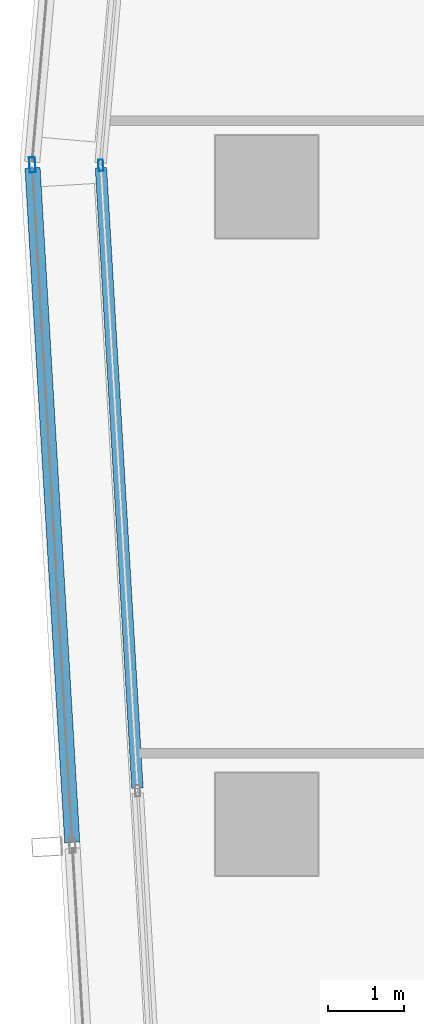
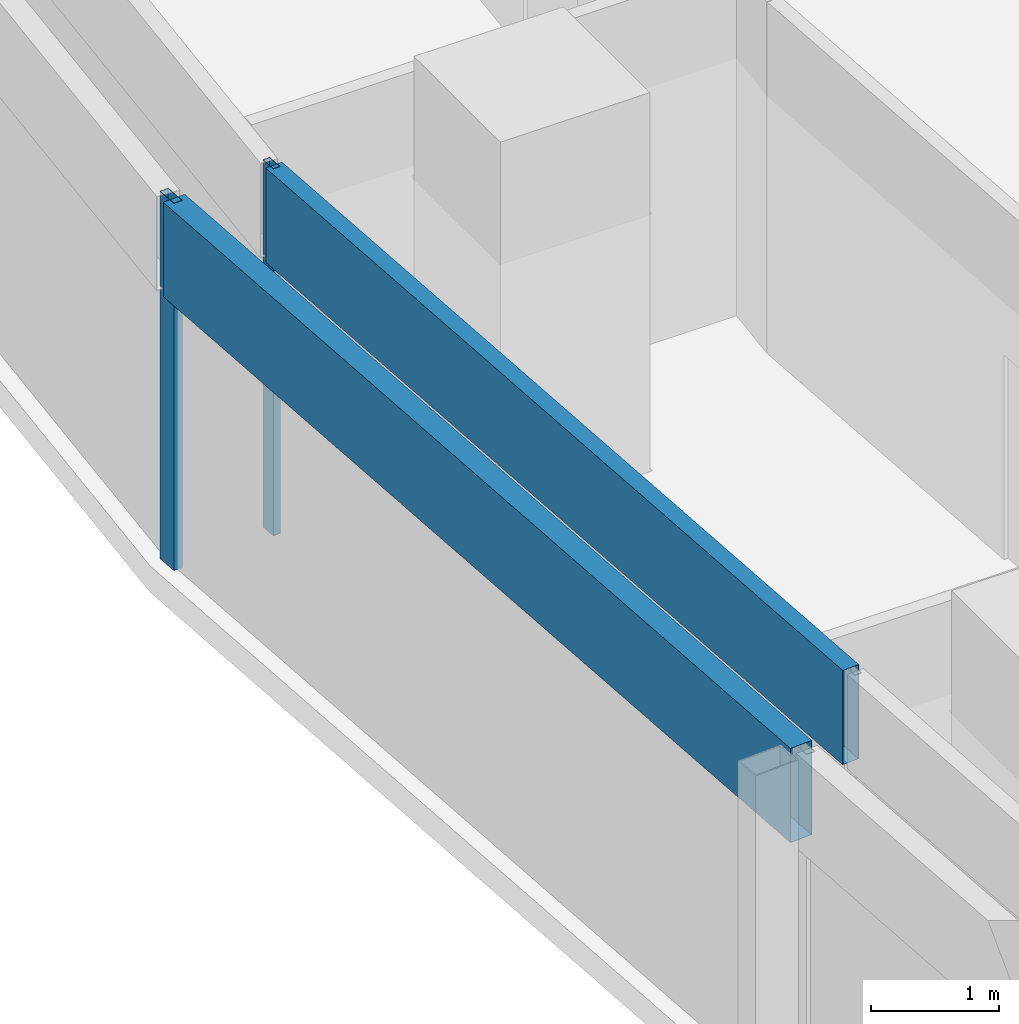
# One storey, part 9 of 39: 4 members, 2 elements without a shape of their own.
"""IFC4 building model written with IfcOpenShell, lengths in metres."""

from ifc_helpers import new_model, si_unit, direction, frame, origin, origin_2d, place, context, subcontext, project, spatial, hollow_rectangle, extrude, material, material_profile, profile_set, type_object, element, aggregate, save


model = new_model("IFC4")

# Units and contexts
model_context = context("Model", 3, precision=1e-05, world=origin(), true_north=direction((0.0, 1.0)))
body_context = subcontext(model_context, "Body", "Model", "MODEL_VIEW")
ifc_project = project(units=[si_unit("LENGTHUNIT", "METRE"), si_unit("AREAUNIT", "SQUARE_METRE"), si_unit("VOLUMEUNIT", "CUBIC_METRE"), si_unit("PLANEANGLEUNIT", "RADIAN"), si_unit("MASSUNIT", "GRAM", prefix="KILO")], contexts=[model_context])

# Site, building, storey
site_placement = place(None, origin())
site = spatial("IfcSite", under=ifc_project, at=site_placement, CompositionType="ELEMENT")
building_placement = place(site_placement, origin())
building = spatial("IfcBuilding", under=site, at=building_placement, Name="Rekha Terrace Tower", CompositionType="ELEMENT")
storey_placement = place(building_placement, frame((0.0, 0.0, 187.699951171875)))
storey = spatial("IfcBuildingStorey", under=building, at=storey_placement, Name="L47", CompositionType="ELEMENT", Elevation=187.699951171875)

# Curtain wall, members
ifc_material_1 = material(Name="Aluminium framing", Category="aluminium")
curtain_wall_type_1 = type_object("IfcCurtainWallType", Name="CW1 double skin inner glazing", PredefinedType="USERDEFINED", material=ifc_material_1)
curtain_wall_1_placement = place(storey_placement, origin())
curtain_wall_1 = element("IfcCurtainWall", 1, at=curtain_wall_1_placement, inside=storey, type_object=curtain_wall_type_1, Name="CW1 double skin inner glazing", ObjectType="DOUBLE SKIN INNER GLAZING", PredefinedType="USERDEFINED")
ifc_material_2 = material(Name="Aluminium mullion section", Category="aluminium")
ifc_material_profile_1 = material_profile(ifc_material_2, hollow_rectangle(XDim=0.06494140625, YDim=0.14990234375, WallThickness=0.00390625, at=origin_2d()), Name="AL RHS 65x150")
ifc_profile_set_1 = profile_set([ifc_material_profile_1], Name="Aluminium mullion section")
member_type_1 = type_object("IfcMemberType", Name="CW1 mullion RHS 65 x 150", PredefinedType="MULLION", material=ifc_profile_set_1)
member_1_placement = place(storey_placement, frame((6.214599609375, 42.281982421875, 0.0), z_axis=(0.0, 0.0, 1.0), x_axis=(0.998271839269, 0.058765082516, 0.0)))
member_1 = element("IfcMember", 2, at=member_1_placement, type_object=member_type_1, Name="CW1 mullion 1", PredefinedType="MULLION", context=body_context, shape_type="SweptSolid", body=[
    extrude(hollow_rectangle(XDim=0.06494140625, YDim=0.14990234375, WallThickness=0.00390625, at=origin_2d()), origin(), (0.0, 0.0, 1.0), 3.5),
])
ifc_material_3 = material(Name="Insulated aluminium spandrel box", Category="aluminium")
ifc_material_profile_2 = material_profile(ifc_material_3, hollow_rectangle(XDim=0.14990234375, YDim=0.89990234375, WallThickness=0.0029296875, at=origin_2d()), Name="AL SPANDREL BOX 150x900")
ifc_profile_set_2 = profile_set([ifc_material_profile_2], Name="Insulated aluminium spandrel box")
member_type_2 = type_object("IfcMemberType", Name="CW1 spandrel transom 150 x 900", PredefinedType="USERDEFINED", material=ifc_profile_set_2)
member_2_placement = place(storey_placement, frame((6.216552734375, 42.24951171875, 3.050048828125), z_axis=(0.058777934282, -0.998271082643, 0.0), x_axis=(0.998271082643, 0.058777934282, 0.0)))
member_2 = element("IfcMember", 3, at=member_2_placement, type_object=member_type_2, Name="CW1 spandrel transom 1", ObjectType="TRANSOM", PredefinedType="USERDEFINED", context=body_context, shape_type="SweptSolid", body=[
    extrude(hollow_rectangle(XDim=0.14990234375, YDim=0.89990234375, WallThickness=0.0029296875, at=origin_2d()), origin(), (0.0, 0.0, 1.0), 8.19091796875),
])
aggregate(curtain_wall_1, [member_1, member_2])

curtain_wall_type_2 = type_object("IfcCurtainWallType", Name="CW2 double skin outer glazing", PredefinedType="USERDEFINED", material=ifc_material_1)
curtain_wall_2_placement = place(storey_placement, origin())
curtain_wall_2 = element("IfcCurtainWall", 4, at=curtain_wall_2_placement, inside=storey, type_object=curtain_wall_type_2, Name="CW2 double skin outer glazing", ObjectType="DOUBLE SKIN OUTER GLAZING", PredefinedType="USERDEFINED")
ifc_material_profile_3 = material_profile(ifc_material_2, hollow_rectangle(XDim=0.080078125, YDim=0.199951171875, WallThickness=0.00390625, at=origin_2d()), Name="AL RHS 80x200")
ifc_profile_set_3 = profile_set([ifc_material_profile_3], Name="Aluminium mullion section")
member_type_3 = type_object("IfcMemberType", Name="CW2 mullion RHS 80 x 200", PredefinedType="MULLION", material=ifc_profile_set_3)
member_3_placement = place(storey_placement, frame((5.312744140625, 42.287841796875, 0.0), z_axis=(0.0, 0.0, 1.0), x_axis=(0.99827183927, 0.058765082499, 0.0)))
member_3 = element("IfcMember", 5, at=member_3_placement, type_object=member_type_3, Name="CW2 mullion 1", PredefinedType="MULLION", context=body_context, shape_type="SweptSolid", body=[
    extrude(hollow_rectangle(XDim=0.080078125, YDim=0.199951171875, WallThickness=0.00390625, at=origin_2d()), origin(), (0.0, 0.0, 1.0), 3.5),
])
ifc_material_profile_4 = material_profile(ifc_material_3, hollow_rectangle(XDim=0.199951171875, YDim=0.89990234375, WallThickness=0.0029296875, at=origin_2d()), Name="AL SPANDREL BOX 200x900")
ifc_profile_set_4 = profile_set([ifc_material_profile_4], Name="Insulated aluminium spandrel box")
member_type_4 = type_object("IfcMemberType", Name="CW2 spandrel transom 200 x 900", PredefinedType="USERDEFINED", material=ifc_profile_set_4)
member_4_placement = place(storey_placement, frame((5.315185546875, 42.247802734375, 3.050048828125), z_axis=(0.058762207171, -0.998272008527, 0.0), x_axis=(0.998272008527, 0.058762207171, 0.0)))
member_4 = element("IfcMember", 6, at=member_4_placement, type_object=member_type_4, Name="CW2 spandrel transom 1", ObjectType="TRANSOM", PredefinedType="USERDEFINED", context=body_context, shape_type="SweptSolid", body=[
    extrude(hollow_rectangle(XDim=0.199951171875, YDim=0.89990234375, WallThickness=0.0029296875, at=origin_2d()), origin(), (0.0, 0.0, 1.0), 8.903564453125),
])
aggregate(curtain_wall_2, [member_3, member_4])

save(model, "model.ifc")
